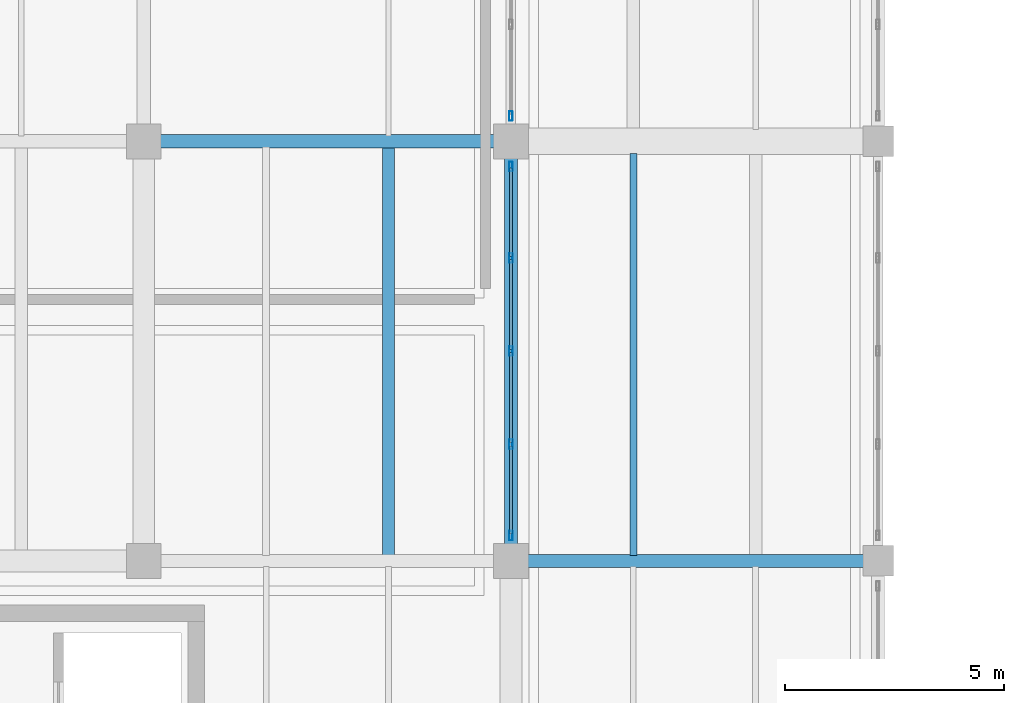
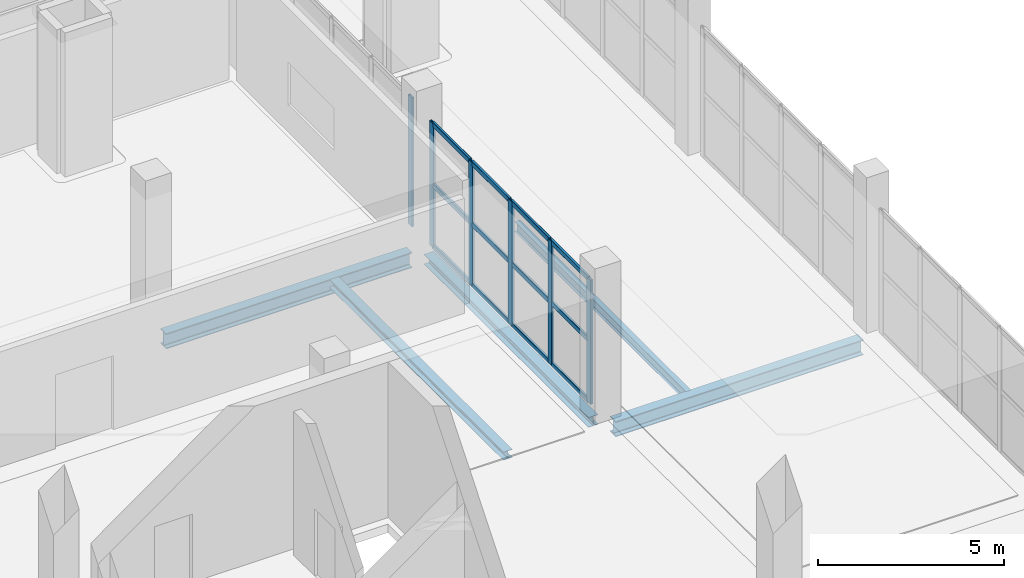
# One storey, part 4 of 66: 18 members, 5 beams, 2 elements without a shape of their own.
"""IFC4 building model written with IfcOpenShell, lengths in metres."""

from ifc_helpers import new_model, si_unit, direction, frame, origin, origin_2d, place, context, subcontext, project, spatial, hollow_rectangle, i_section, extrude, material, layer, layer_set, material_profile, profile_set, type_object, element, aggregate, save


model = new_model("IFC4")

# Units and contexts
model_context = context("Model", 3, precision=1e-05, world=origin(), true_north=direction((0.0, 1.0)))
body_context = subcontext(model_context, "Body", "Model", "MODEL_VIEW")
ifc_project = project(units=[si_unit("LENGTHUNIT", "METRE"), si_unit("AREAUNIT", "SQUARE_METRE"), si_unit("VOLUMEUNIT", "CUBIC_METRE"), si_unit("PLANEANGLEUNIT", "RADIAN"), si_unit("MASSUNIT", "GRAM", prefix="KILO")], contexts=[model_context])

# Site, building, storey
site_placement = place(None, origin())
site = spatial("IfcSite", under=ifc_project, at=site_placement, CompositionType="ELEMENT")
building_placement = place(site_placement, origin())
building = spatial("IfcBuilding", under=site, at=building_placement, Name="Zulmaris Art Gallery", CompositionType="ELEMENT")
storey_placement = place(building_placement, frame((0.0, 0.0, 5.39990234375)))
storey = spatial("IfcBuildingStorey", under=building, at=storey_placement, Name="L01", CompositionType="ELEMENT", Elevation=5.39990234375)

# Beams
ifc_material_1 = material(Name="Steel S355J2", Category="steel")
ifc_material_profile_1 = material_profile(ifc_material_1, i_section(OverallWidth=0.300048828125, OverallDepth=0.330078125, WebThickness=0.009521484375, FlangeThickness=0.0166015625, FilletRadius=0.027099609375, at=origin_2d()), Name="HEA 340")
ifc_profile_set_1 = profile_set([ifc_material_profile_1], Name="Steel S355J2")
beam_type_1 = type_object("IfcBeamType", Name="BEAM-BM08", PredefinedType="BEAM", material=ifc_profile_set_1)
beam_1_placement = place(storey_placement, frame((82.800048828125, 31.5849609375, -0.494873046875), z_axis=(0.0, 1.0, 0.0), x_axis=(-1.0, 0.0, 0.0)))
element("IfcBeam", 1, at=beam_1_placement, inside=storey, type_object=beam_type_1, Name="L01 Y-girder (x=82.8, 31.2..40.8)", PredefinedType="BEAM", context=body_context, shape_type="SweptSolid", body=[
    extrude(i_section(OverallWidth=0.300048828125, OverallDepth=0.330078125, WebThickness=0.009521484375, FlangeThickness=0.0166015625, FilletRadius=0.027099609375, at=origin_2d()), origin(), (0.0, 0.0, 1.0), 8.830078125),
])
ifc_material_profile_2 = material_profile(ifc_material_1, i_section(OverallWidth=0.300048828125, OverallDepth=0.5, WebThickness=0.014404296875, FlangeThickness=0.028076171875, FilletRadius=0.027099609375, at=origin_2d()), Name="HEB 500")
ifc_profile_set_2 = profile_set([ifc_material_profile_2], Name="Steel S355J2")
beam_type_2 = type_object("IfcBeamType", Name="BEAM-BM14", PredefinedType="BEAM", material=ifc_profile_set_2)
beam_2_placement = place(storey_placement, frame((83.18505859375, 31.199951171875, -0.579833984375), z_axis=(1.0, 0.0, 0.0), x_axis=(0.0, 1.0, 0.0)))
element("IfcBeam", 2, at=beam_2_placement, inside=storey, type_object=beam_type_2, Name="L01 X-girder (82.8..91.2, y=31.2)", PredefinedType="BEAM", context=body_context, shape_type="SweptSolid", body=[
    extrude(i_section(OverallWidth=0.300048828125, OverallDepth=0.5, WebThickness=0.014404296875, FlangeThickness=0.028076171875, FilletRadius=0.027099609375, at=origin_2d()), origin(), (0.0, 0.0, 1.0), 7.679931640625),
])
beam_3_placement = place(storey_placement, frame((74.784912109375, 40.800048828125, -0.579833984375), z_axis=(1.0, 0.0, 0.0), x_axis=(0.0, 1.0, 0.0)))
element("IfcBeam", 3, at=beam_3_placement, inside=storey, type_object=beam_type_2, Name="L01 X-girder (74.4..82.8, y=40.8)", PredefinedType="BEAM", context=body_context, shape_type="SweptSolid", body=[
    extrude(i_section(OverallWidth=0.300048828125, OverallDepth=0.5, WebThickness=0.014404296875, FlangeThickness=0.028076171875, FilletRadius=0.027099609375, at=origin_2d()), origin(), (0.0, 0.0, 1.0), 7.630126953125),
])
ifc_material_profile_3 = material_profile(ifc_material_1, i_section(OverallWidth=0.159912109375, OverallDepth=0.330078125, WebThickness=0.007568359375, FlangeThickness=0.011474609375, FilletRadius=0.01806640625, at=origin_2d()), Name="IPE 330")
ifc_profile_set_3 = profile_set([ifc_material_profile_3], Name="Steel S355J2")
beam_type_3 = type_object("IfcBeamType", Name="BEAM-JS03", PredefinedType="JOIST", material=ifc_profile_set_3)
beam_4_placement = place(storey_placement, frame((85.60009765625, 31.324951171875, -0.494873046875), z_axis=(0.0, 1.0, 0.0), x_axis=(-1.0, 0.0, 0.0)))
element("IfcBeam", 4, at=beam_4_placement, inside=storey, type_object=beam_type_3, Name="L01 secondary joist at x=85.6", PredefinedType="JOIST", context=body_context, shape_type="SweptSolid", body=[
    extrude(i_section(OverallWidth=0.159912109375, OverallDepth=0.330078125, WebThickness=0.007568359375, FlangeThickness=0.011474609375, FilletRadius=0.01806640625, at=origin_2d()), origin(), (0.0, 0.0, 1.0), 9.199951171875),
])
ifc_material_profile_4 = material_profile(ifc_material_1, i_section(OverallWidth=0.280029296875, OverallDepth=0.27001953125, WebThickness=0.008056640625, FlangeThickness=0.012939453125, FilletRadius=0.02392578125, at=origin_2d()), Name="HEA 280")
ifc_profile_set_4 = profile_set([ifc_material_profile_4], Name="Steel S355J2")
beam_type_4 = type_object("IfcBeamType", Name="BEAM-JS04", PredefinedType="JOIST", material=ifc_profile_set_4)
beam_5_placement = place(storey_placement, frame((80.0, 31.324951171875, -0.46484375), z_axis=(0.0, 1.0, 0.0), x_axis=(-1.0, 0.0, 0.0)))
element("IfcBeam", 5, at=beam_5_placement, inside=storey, type_object=beam_type_4, Name="L01 secondary joist at x=80.0", PredefinedType="JOIST", context=body_context, shape_type="SweptSolid", body=[
    extrude(i_section(OverallWidth=0.280029296875, OverallDepth=0.27001953125, WebThickness=0.008056640625, FlangeThickness=0.012939453125, FilletRadius=0.02392578125, at=origin_2d()), origin(), (0.0, 0.0, 1.0), 9.35009765625),
])

# Curtain wall, members
ifc_material_2 = material(Name="Cloister & Court Glazed Curtain Wall", Category="aluminium")
ifc_layer = layer(ifc_material_2, 0.179931640625)
ifc_layer_set = layer_set([ifc_layer], Name="Cloister & Court Glazed Curtain Wall")
curtain_wall_type = type_object("IfcCurtainWallType", Name="CW-CW03", PredefinedType="NOTDEFINED", material=ifc_layer_set)
curtain_wall_1_placement = place(storey_placement, origin())
curtain_wall_1 = element("IfcCurtainWall", 6, at=curtain_wall_1_placement, inside=storey, type_object=curtain_wall_type, Name="L01 curtain wall 72", PredefinedType="NOTDEFINED")
ifc_material_3 = material(Name="Anodised Bronze Aluminium", Category="aluminium")
ifc_material_profile_5 = material_profile(ifc_material_3, hollow_rectangle(XDim=0.074951171875, YDim=0.219970703125, WallThickness=0.0048828125, InnerFilletRadius=0.007568359375, OuterFilletRadius=0.012451171875, at=origin_2d()), Name="ALU 75x220x5")
ifc_profile_set_5 = profile_set([ifc_material_profile_5], Name="Anodised Bronze Aluminium")
member_type_1 = type_object("IfcMemberType", Name="CWMUL-02", PredefinedType="MULLION", material=ifc_profile_set_5)
member_1_placement = place(storey_placement, frame((82.800048828125, 31.777587890625, 0.0), z_axis=(0.0, 0.0, 1.0), x_axis=(-1.0, 0.0, 0.0)))
member_1 = element("IfcMember", 7, at=member_1_placement, type_object=member_type_1, Name="CW03 mullion 1", PredefinedType="MULLION", context=body_context, shape_type="SweptSolid", body=[
    extrude(hollow_rectangle(XDim=0.074951171875, YDim=0.219970703125, WallThickness=0.0048828125, InnerFilletRadius=0.007568359375, OuterFilletRadius=0.012451171875, at=origin_2d()), origin(), (0.0, 0.0, 1.0), 4.070068359375),
])
member_2_placement = place(storey_placement, frame((82.800048828125, 33.8701171875, 0.0), z_axis=(0.0, 0.0, 1.0), x_axis=(-1.0, 0.0, 0.0)))
member_2 = element("IfcMember", 8, at=member_2_placement, type_object=member_type_1, Name="CW03 mullion 2", PredefinedType="MULLION", context=body_context, shape_type="SweptSolid", body=[
    extrude(hollow_rectangle(XDim=0.074951171875, YDim=0.219970703125, WallThickness=0.0048828125, InnerFilletRadius=0.007568359375, OuterFilletRadius=0.012451171875, at=origin_2d()), origin(), (0.0, 0.0, 1.0), 4.070068359375),
])
member_3_placement = place(storey_placement, frame((82.800048828125, 36.0, 0.0), z_axis=(0.0, 0.0, 1.0), x_axis=(-1.0, 0.0, 0.0)))
member_3 = element("IfcMember", 9, at=member_3_placement, type_object=member_type_1, Name="CW03 mullion 3", PredefinedType="MULLION", context=body_context, shape_type="SweptSolid", body=[
    extrude(hollow_rectangle(XDim=0.074951171875, YDim=0.219970703125, WallThickness=0.0048828125, InnerFilletRadius=0.007568359375, OuterFilletRadius=0.012451171875, at=origin_2d()), origin(), (0.0, 0.0, 1.0), 4.070068359375),
])
member_4_placement = place(storey_placement, frame((82.800048828125, 38.1298828125, 0.0), z_axis=(0.0, 0.0, 1.0), x_axis=(-1.0, 0.0, 0.0)))
member_4 = element("IfcMember", 10, at=member_4_placement, type_object=member_type_1, Name="CW03 mullion 4", PredefinedType="MULLION", context=body_context, shape_type="SweptSolid", body=[
    extrude(hollow_rectangle(XDim=0.074951171875, YDim=0.219970703125, WallThickness=0.0048828125, InnerFilletRadius=0.007568359375, OuterFilletRadius=0.012451171875, at=origin_2d()), origin(), (0.0, 0.0, 1.0), 4.070068359375),
])
member_5_placement = place(storey_placement, frame((82.800048828125, 40.222412109375, 0.0), z_axis=(0.0, 0.0, 1.0), x_axis=(-1.0, 0.0, 0.0)))
member_5 = element("IfcMember", 11, at=member_5_placement, type_object=member_type_1, Name="CW03 mullion 5", PredefinedType="MULLION", context=body_context, shape_type="SweptSolid", body=[
    extrude(hollow_rectangle(XDim=0.074951171875, YDim=0.219970703125, WallThickness=0.0048828125, InnerFilletRadius=0.007568359375, OuterFilletRadius=0.012451171875, at=origin_2d()), origin(), (0.0, 0.0, 1.0), 4.070068359375),
])

# Curtain wall, member
curtain_wall_2_placement = place(storey_placement, origin())
curtain_wall_2 = element("IfcCurtainWall", 12, at=curtain_wall_2_placement, inside=storey, type_object=curtain_wall_type, Name="L01 curtain wall 74", PredefinedType="NOTDEFINED")
member_6_placement = place(storey_placement, frame((82.800048828125, 41.37744140625, 0.0), z_axis=(0.0, 0.0, 1.0), x_axis=(-1.0, 0.0, 0.0)))
member_6 = element("IfcMember", 13, at=member_6_placement, type_object=member_type_1, Name="CW03 mullion 1", PredefinedType="MULLION", context=body_context, shape_type="SweptSolid", body=[
    extrude(hollow_rectangle(XDim=0.074951171875, YDim=0.219970703125, WallThickness=0.0048828125, InnerFilletRadius=0.007568359375, OuterFilletRadius=0.012451171875, at=origin_2d()), origin(), (0.0, 0.0, 1.0), 4.22998046875),
])
aggregate(curtain_wall_2, [member_6])

# Member
ifc_material_profile_6 = material_profile(ifc_material_3, hollow_rectangle(XDim=0.074951171875, YDim=0.159912109375, WallThickness=0.00390625, InnerFilletRadius=0.006103515625, OuterFilletRadius=0.010009765625, at=origin_2d()), Name="ALU 75x160x4")
ifc_profile_set_6 = profile_set([ifc_material_profile_6], Name="Anodised Bronze Aluminium")
member_type_2 = type_object("IfcMemberType", Name="CWTRN-02", PredefinedType="USERDEFINED", material=ifc_profile_set_6)
member_7_placement = place(storey_placement, frame((82.800048828125, 31.81494140625, 0.03759765625), z_axis=(0.0, 1.0, 0.0), x_axis=(-1.0, 0.0, 0.0)))
member_7 = element("IfcMember", 14, at=member_7_placement, type_object=member_type_2, Name="CW03 transom 1.1", ObjectType="TRANSOM", PredefinedType="USERDEFINED", context=body_context, shape_type="SweptSolid", body=[
    extrude(hollow_rectangle(XDim=0.074951171875, YDim=0.159912109375, WallThickness=0.00390625, InnerFilletRadius=0.006103515625, OuterFilletRadius=0.010009765625, at=origin_2d()), origin(), (0.0, 0.0, 1.0), 2.017578125),
])

member_8_placement = place(storey_placement, frame((82.800048828125, 31.81494140625, 2.03515625), z_axis=(0.0, 1.0, 0.0), x_axis=(-1.0, 0.0, 0.0)))
member_8 = element("IfcMember", 15, at=member_8_placement, type_object=member_type_2, Name="CW03 transom 1.2", ObjectType="TRANSOM", PredefinedType="USERDEFINED", context=body_context, shape_type="SweptSolid", body=[
    extrude(hollow_rectangle(XDim=0.074951171875, YDim=0.159912109375, WallThickness=0.00390625, InnerFilletRadius=0.006103515625, OuterFilletRadius=0.010009765625, at=origin_2d()), origin(), (0.0, 0.0, 1.0), 2.017578125),
])

member_9_placement = place(storey_placement, frame((82.800048828125, 31.81494140625, 4.03271484375), z_axis=(0.0, 1.0, 0.0), x_axis=(-1.0, 0.0, 0.0)))
member_9 = element("IfcMember", 16, at=member_9_placement, type_object=member_type_2, Name="CW03 transom 1.3", ObjectType="TRANSOM", PredefinedType="USERDEFINED", context=body_context, shape_type="SweptSolid", body=[
    extrude(hollow_rectangle(XDim=0.074951171875, YDim=0.159912109375, WallThickness=0.00390625, InnerFilletRadius=0.006103515625, OuterFilletRadius=0.010009765625, at=origin_2d()), origin(), (0.0, 0.0, 1.0), 2.017578125),
])

member_10_placement = place(storey_placement, frame((82.800048828125, 33.907470703125, 0.03759765625), z_axis=(0.0, 1.0, 0.0), x_axis=(-1.0, 0.0, 0.0)))
member_10 = element("IfcMember", 17, at=member_10_placement, type_object=member_type_2, Name="CW03 transom 2.1", ObjectType="TRANSOM", PredefinedType="USERDEFINED", context=body_context, shape_type="SweptSolid", body=[
    extrude(hollow_rectangle(XDim=0.074951171875, YDim=0.159912109375, WallThickness=0.00390625, InnerFilletRadius=0.006103515625, OuterFilletRadius=0.010009765625, at=origin_2d()), origin(), (0.0, 0.0, 1.0), 2.054931640625),
])

member_11_placement = place(storey_placement, frame((82.800048828125, 33.907470703125, 2.03515625), z_axis=(0.0, 1.0, 0.0), x_axis=(-1.0, 0.0, 0.0)))
member_11 = element("IfcMember", 18, at=member_11_placement, type_object=member_type_2, Name="CW03 transom 2.2", ObjectType="TRANSOM", PredefinedType="USERDEFINED", context=body_context, shape_type="SweptSolid", body=[
    extrude(hollow_rectangle(XDim=0.074951171875, YDim=0.159912109375, WallThickness=0.00390625, InnerFilletRadius=0.006103515625, OuterFilletRadius=0.010009765625, at=origin_2d()), origin(), (0.0, 0.0, 1.0), 2.054931640625),
])

member_12_placement = place(storey_placement, frame((82.800048828125, 33.907470703125, 4.03271484375), z_axis=(0.0, 1.0, 0.0), x_axis=(-1.0, 0.0, 0.0)))
member_12 = element("IfcMember", 19, at=member_12_placement, type_object=member_type_2, Name="CW03 transom 2.3", ObjectType="TRANSOM", PredefinedType="USERDEFINED", context=body_context, shape_type="SweptSolid", body=[
    extrude(hollow_rectangle(XDim=0.074951171875, YDim=0.159912109375, WallThickness=0.00390625, InnerFilletRadius=0.006103515625, OuterFilletRadius=0.010009765625, at=origin_2d()), origin(), (0.0, 0.0, 1.0), 2.054931640625),
])

member_13_placement = place(storey_placement, frame((82.800048828125, 36.03759765625, 0.03759765625), z_axis=(0.0, 1.0, 0.0), x_axis=(-1.0, 0.0, 0.0)))
member_13 = element("IfcMember", 20, at=member_13_placement, type_object=member_type_2, Name="CW03 transom 3.1", ObjectType="TRANSOM", PredefinedType="USERDEFINED", context=body_context, shape_type="SweptSolid", body=[
    extrude(hollow_rectangle(XDim=0.074951171875, YDim=0.159912109375, WallThickness=0.00390625, InnerFilletRadius=0.006103515625, OuterFilletRadius=0.010009765625, at=origin_2d()), origin(), (0.0, 0.0, 1.0), 2.054931640625),
])

member_14_placement = place(storey_placement, frame((82.800048828125, 36.03759765625, 2.03515625), z_axis=(0.0, 1.0, 0.0), x_axis=(-1.0, 0.0, 0.0)))
member_14 = element("IfcMember", 21, at=member_14_placement, type_object=member_type_2, Name="CW03 transom 3.2", ObjectType="TRANSOM", PredefinedType="USERDEFINED", context=body_context, shape_type="SweptSolid", body=[
    extrude(hollow_rectangle(XDim=0.074951171875, YDim=0.159912109375, WallThickness=0.00390625, InnerFilletRadius=0.006103515625, OuterFilletRadius=0.010009765625, at=origin_2d()), origin(), (0.0, 0.0, 1.0), 2.054931640625),
])

member_15_placement = place(storey_placement, frame((82.800048828125, 36.03759765625, 4.03271484375), z_axis=(0.0, 1.0, 0.0), x_axis=(-1.0, 0.0, 0.0)))
member_15 = element("IfcMember", 22, at=member_15_placement, type_object=member_type_2, Name="CW03 transom 3.3", ObjectType="TRANSOM", PredefinedType="USERDEFINED", context=body_context, shape_type="SweptSolid", body=[
    extrude(hollow_rectangle(XDim=0.074951171875, YDim=0.159912109375, WallThickness=0.00390625, InnerFilletRadius=0.006103515625, OuterFilletRadius=0.010009765625, at=origin_2d()), origin(), (0.0, 0.0, 1.0), 2.054931640625),
])

member_16_placement = place(storey_placement, frame((82.800048828125, 38.16748046875, 0.03759765625), z_axis=(0.0, 1.0, 0.0), x_axis=(-1.0, 0.0, 0.0)))
member_16 = element("IfcMember", 23, at=member_16_placement, type_object=member_type_2, Name="CW03 transom 4.1", ObjectType="TRANSOM", PredefinedType="USERDEFINED", context=body_context, shape_type="SweptSolid", body=[
    extrude(hollow_rectangle(XDim=0.074951171875, YDim=0.159912109375, WallThickness=0.00390625, InnerFilletRadius=0.006103515625, OuterFilletRadius=0.010009765625, at=origin_2d()), origin(), (0.0, 0.0, 1.0), 2.017578125),
])

member_17_placement = place(storey_placement, frame((82.800048828125, 38.16748046875, 2.03515625), z_axis=(0.0, 1.0, 0.0), x_axis=(-1.0, 0.0, 0.0)))
member_17 = element("IfcMember", 24, at=member_17_placement, type_object=member_type_2, Name="CW03 transom 4.2", ObjectType="TRANSOM", PredefinedType="USERDEFINED", context=body_context, shape_type="SweptSolid", body=[
    extrude(hollow_rectangle(XDim=0.074951171875, YDim=0.159912109375, WallThickness=0.00390625, InnerFilletRadius=0.006103515625, OuterFilletRadius=0.010009765625, at=origin_2d()), origin(), (0.0, 0.0, 1.0), 2.017578125),
])

member_18_placement = place(storey_placement, frame((82.800048828125, 38.16748046875, 4.03271484375), z_axis=(0.0, 1.0, 0.0), x_axis=(-1.0, 0.0, 0.0)))
member_18 = element("IfcMember", 25, at=member_18_placement, type_object=member_type_2, Name="CW03 transom 4.3", ObjectType="TRANSOM", PredefinedType="USERDEFINED", context=body_context, shape_type="SweptSolid", body=[
    extrude(hollow_rectangle(XDim=0.074951171875, YDim=0.159912109375, WallThickness=0.00390625, InnerFilletRadius=0.006103515625, OuterFilletRadius=0.010009765625, at=origin_2d()), origin(), (0.0, 0.0, 1.0), 2.017578125),
])

aggregate(curtain_wall_1, [member_1, member_2, member_3, member_4, member_5, member_7, member_8, member_9, member_10, member_11, member_12, member_13, member_14, member_15, member_16, member_17, member_18])

save(model, "model.ifc")
